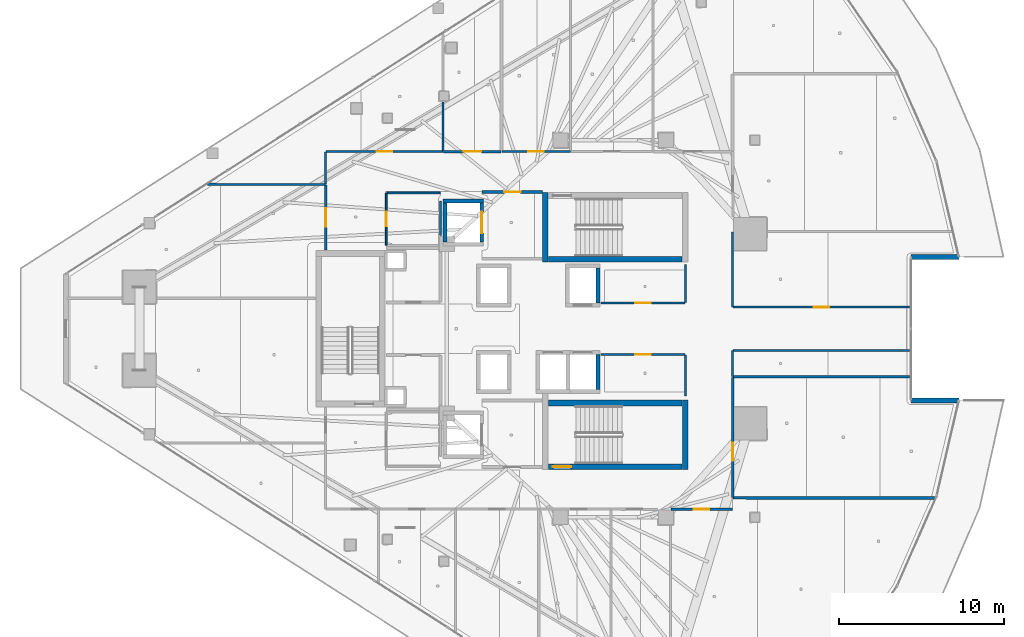
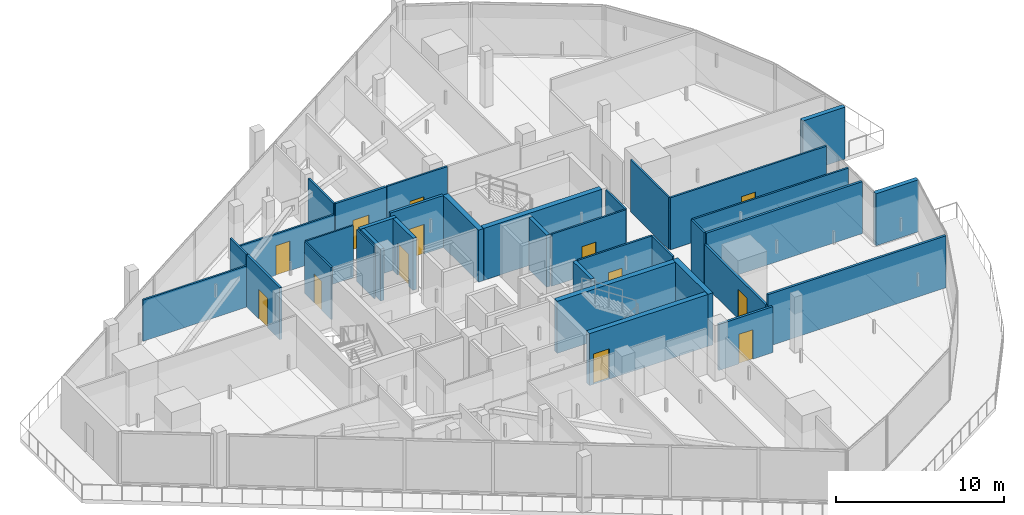
# One storey, part 32 of 43: 35 walls, 13 doors, 13 openings.
"""IFC4 building model written with IfcOpenShell, lengths in metres."""

from ifc_helpers import new_model, si_unit, direction, frame, frame_2d, origin, place, context, subcontext, project, spatial, rectangle, extrude, material, layer, layer_set, type_object, element, fill, save


model = new_model("IFC4")

# Units and contexts
model_context = context("Model", 3, precision=1e-05, world=origin(), true_north=direction((0.0, 1.0)))
body_context = subcontext(model_context, "Body", "Model", "MODEL_VIEW")
ifc_project = project(units=[si_unit("LENGTHUNIT", "METRE"), si_unit("AREAUNIT", "SQUARE_METRE"), si_unit("VOLUMEUNIT", "CUBIC_METRE"), si_unit("PLANEANGLEUNIT", "RADIAN"), si_unit("MASSUNIT", "GRAM", prefix="KILO")], contexts=[model_context])

# Site, building, storey
site_placement = place(None, origin())
site = spatial("IfcSite", under=ifc_project, at=site_placement, CompositionType="ELEMENT")
building_placement = place(site_placement, origin())
building = spatial("IfcBuilding", under=site, at=building_placement, Name="Qorvath Tower", CompositionType="ELEMENT")
storey_placement = place(building_placement, frame((0.0, 0.0, 213.14990234375)))
storey = spatial("IfcBuildingStorey", under=building, at=storey_placement, Name="L49", CompositionType="ELEMENT", Elevation=213.14990234375)

# Wall, opening, door
ifc_material_1 = material(Name="Gypsum shaftliner on steel studs", Category="steel")
ifc_layer_1 = layer(ifc_material_1, 0.179931640625)
ifc_layer_set_1 = layer_set([ifc_layer_1], Name="FW-LOBBY")
wall_type_1 = type_object("IfcWallType", Name="FW-LOBBY", PredefinedType="PARTITIONING", material=ifc_layer_set_1)
wall_1_placement = place(storey_placement, frame((-24.68408203125, 8.300048828125, 0.0), z_axis=(0.0, 0.0, 1.0), x_axis=(-1.0, 0.0, 0.0)))
wall_1 = element("IfcWall", 1, at=wall_1_placement, inside=storey, type_object=wall_type_1, Name="Interior Partition IW-T1-L49-002", PredefinedType="PARTITIONING", context=body_context, shape_type="SweptSolid", body=[
    extrude(rectangle(XDim=3.6708984375, YDim=0.179931640625, at=frame_2d((1.83544921875, 0.0))), origin(), (0.0, 0.0, 1.0), 3.780029296875),
])
opening_1_placement = place(wall_1_placement, frame((1.33544921875, 0.0, 0.0)))
opening_1 = element("IfcOpeningElement", 2, at=opening_1_placement, cuts=wall_1, Name="Opening D-T1-L49-22", PredefinedType="OPENING", context=body_context, shape_type="SweptSolid", body=[
    extrude(rectangle(XDim=1.0, YDim=2.14990234375, at=frame_2d((0.5, 1.074951171875))), frame((0.0, 0.10009765625, 0.0), z_axis=(0.0, -1.0, 0.0), x_axis=(1.0, 0.0, 0.0)), (0.0, 0.0, 1.0), 0.199951171875),
])
ifc_material_2 = material(Name="Painted galvanised hollow metal", Category="steel")
door_type_1 = type_object("IfcDoorType", Name="FD-60", OperationType="NOTDEFINED", PredefinedType="DOOR", material=ifc_material_2)
door_1_placement = place(opening_1_placement, origin())
door_1 = element("IfcDoor", 3, at=door_1_placement, inside=storey, type_object=door_type_1, Name="Lobby Fire Service Elevator North Door D-T1-L49-22", OperationType="SINGLE_SWING_LEFT", OverallHeight=2.14990234375, OverallWidth=1.0, PredefinedType="DOOR", context=body_context, shape_type="SweptSolid", body=[
    extrude(rectangle(XDim=1.0, YDim=2.14990234375, at=frame_2d((0.5, 1.074951171875))), frame((0.0, 0.02490234375, 0.0), z_axis=(0.0, -1.0, 0.0), x_axis=(1.0, 0.0, 0.0)), (0.0, 0.0, 1.0), 0.050048828125),
])
fill(opening_1, door_1)

ifc_material_3 = material(Name="Double acoustic gypsum board on steel studs", Category="steel")
ifc_layer_2 = layer(ifc_material_3, 0.159912109375)
ifc_layer_set_2 = layer_set([ifc_layer_2], Name="IW-ACOUSTIC-160")
wall_type_2 = type_object("IfcWallType", Name="IW-ACOUSTIC-160", PredefinedType="PARTITIONING", material=ifc_layer_set_2)
wall_2_placement = place(storey_placement, frame((-30.68798828125, 10.758056640625, 0.0), z_axis=(0.0, 0.0, 1.0), x_axis=(1.0, 0.0, 0.0)))
wall_2 = element("IfcWall", 4, at=wall_2_placement, inside=storey, type_object=wall_type_2, Name="Interior Partition IW-T1-L49-028", PredefinedType="PARTITIONING", context=body_context, shape_type="SweptSolid", body=[
    extrude(rectangle(XDim=3.4814453125, YDim=0.159912109375, at=frame_2d((1.74072265625, 0.0))), origin(), (0.0, 0.0, 1.0), 3.780029296875),
])
opening_2_placement = place(wall_2_placement, frame((1.190673828125, 0.0, 0.0)))
opening_2 = element("IfcOpeningElement", 5, at=opening_2_placement, cuts=wall_2, Name="Opening D-T1-L49-08", PredefinedType="OPENING", context=body_context, shape_type="SweptSolid", body=[
    extrude(rectangle(XDim=1.10009765625, YDim=2.14990234375, at=frame_2d((0.550048828125, 1.074951171875))), frame((0.0, 0.08984375, 0.0), z_axis=(0.0, -1.0, 0.0), x_axis=(1.0, 0.0, 0.0)), (0.0, 0.0, 1.0), 0.179931640625),
])
ifc_material_4 = material(Name="Anodised aluminium acoustic framed glass", Category="aluminium")
door_type_2 = type_object("IfcDoorType", Name="D-03", OperationType="NOTDEFINED", PredefinedType="DOOR", material=ifc_material_4)
door_2_placement = place(opening_2_placement, origin())
door_2 = element("IfcDoor", 6, at=door_2_placement, inside=storey, type_object=door_type_2, Name="L49-02 Enclosed Conference Suite Door D-T1-L49-08", OperationType="SINGLE_SWING_LEFT", OverallHeight=2.14990234375, OverallWidth=1.10009765625, PredefinedType="DOOR", context=body_context, shape_type="SweptSolid", body=[
    extrude(rectangle(XDim=1.10009765625, YDim=2.14990234375, at=frame_2d((0.550048828125, 1.074951171875))), frame((0.0, 0.02490234375, 0.0), z_axis=(0.0, -1.0, 0.0), x_axis=(1.0, 0.0, 0.0)), (0.0, 0.0, 1.0), 0.050048828125),
])
fill(opening_2, door_2)

# Wall
wall_3_placement = place(storey_placement, frame((-0.886474609375, -10.27880859375, 0.0), z_axis=(0.0, 0.0, 1.0), x_axis=(-0.999999928079, 0.0003792642, 0.0)))
element("IfcWall", 7, at=wall_3_placement, inside=storey, type_object=wall_type_2, Name="Interior Partition IW-T1-L49-047", PredefinedType="PARTITIONING", context=body_context, shape_type="SweptSolid", body=[
    extrude(rectangle(XDim=12.230712890625, YDim=0.159912109375, at=frame_2d((6.115234375, 0.0))), origin(), (0.0, 0.0, 1.0), 3.780029296875),
])

# Wall, opening, door
wall_4_placement = place(storey_placement, frame((-13.1669921875, -10.9580078125, 0.0), z_axis=(0.0, 0.0, 1.0), x_axis=(-1.0, 0.0, 0.0)))
wall_4 = element("IfcWall", 8, at=wall_4_placement, inside=storey, type_object=wall_type_2, Name="Interior Partition IW-T1-L49-048", PredefinedType="PARTITIONING", context=body_context, shape_type="SweptSolid", body=[
    extrude(rectangle(XDim=3.726806640625, YDim=0.159912109375, at=frame_2d((1.86328125, 0.0))), origin(), (0.0, 0.0, 1.0), 3.34375),
])
opening_3_placement = place(wall_4_placement, frame((1.388427734375, 0.0, 0.0)))
opening_3 = element("IfcOpeningElement", 9, at=opening_3_placement, cuts=wall_4, Name="Opening D-T1-L49-24", PredefinedType="OPENING", context=body_context, shape_type="SweptSolid", body=[
    extrude(rectangle(XDim=0.949951171875, YDim=2.14990234375, at=frame_2d((0.47509765625, 1.074951171875))), frame((0.0, 0.08984375, 0.0), z_axis=(0.0, -1.0, 0.0), x_axis=(1.0, 0.0, 0.0)), (0.0, 0.0, 1.0), 0.179931640625),
])
ifc_material_5 = material(Name="Solid-core American white oak veneer", Category="wood")
door_type_3 = type_object("IfcDoorType", Name="D-01", OperationType="NOTDEFINED", PredefinedType="DOOR", material=ifc_material_5)
door_3_placement = place(opening_3_placement, origin())
door_3 = element("IfcDoor", 10, at=door_3_placement, inside=storey, type_object=door_type_3, Name="L49-10 Breakout Reading Alcove Door D-T1-L49-24", OperationType="SINGLE_SWING_LEFT", OverallHeight=2.14990234375, OverallWidth=0.949951171875, PredefinedType="DOOR", context=body_context, shape_type="SweptSolid", body=[
    extrude(rectangle(XDim=0.949951171875, YDim=2.14990234375, at=frame_2d((0.47509765625, 1.074951171875))), frame((0.0, 0.02490234375, 0.0), z_axis=(0.0, -1.0, 0.0), x_axis=(1.0, 0.0, 0.0)), (0.0, 0.0, 1.0), 0.050048828125),
])
fill(opening_3, door_3)

# Wall
wall_5_placement = place(storey_placement, frame((-2.390869140625, -2.92578125, 0.0), z_axis=(0.0, 0.0, 1.0), x_axis=(-1.0, 0.0, 0.0)))
element("IfcWall", 11, at=wall_5_placement, inside=storey, type_object=wall_type_2, Name="Interior Partition IW-T1-L49-049", PredefinedType="PARTITIONING", context=body_context, shape_type="SweptSolid", body=[
    extrude(rectangle(XDim=10.726318359375, YDim=0.159912109375, at=frame_2d((5.36328125, 0.0))), origin(), (0.0, 0.0, 1.0), 3.780029296875),
])

# Wall, opening, door
wall_6_placement = place(storey_placement, frame((-13.14208984375, -2.95068359375, 0.0), z_axis=(0.0, 0.0, 1.0), x_axis=(0.0, -1.0, 0.0)))
wall_6 = element("IfcWall", 12, at=wall_6_placement, inside=storey, type_object=wall_type_2, Name="Interior Partition IW-T1-L49-050", PredefinedType="PARTITIONING", context=body_context, shape_type="SweptSolid", body=[
    extrude(rectangle(XDim=7.29052734375, YDim=0.159912109375, at=frame_2d((3.645263671875, 0.0))), origin(), (0.0, 0.0, 1.0), 3.0),
])
opening_4_placement = place(wall_6_placement, frame((3.9794921875, 0.0, 0.0)))
opening_4 = element("IfcOpeningElement", 13, at=opening_4_placement, cuts=wall_6, Name="Opening D-T1-L49-16", PredefinedType="OPENING", context=body_context, shape_type="SweptSolid", body=[
    extrude(rectangle(XDim=1.10009765625, YDim=2.14990234375, at=frame_2d((0.550048828125, 1.074951171875))), frame((0.0, 0.08984375, 0.0), z_axis=(0.0, -1.0, 0.0), x_axis=(1.0, 0.0, 0.0)), (0.0, 0.0, 1.0), 0.179931640625),
])
door_4_placement = place(opening_4_placement, origin())
door_4 = element("IfcDoor", 14, at=door_4_placement, inside=storey, type_object=door_type_2, Name="L49-11 Team Project Office Door D-T1-L49-16", OperationType="SINGLE_SWING_LEFT", OverallHeight=2.14990234375, OverallWidth=1.10009765625, PredefinedType="DOOR", context=body_context, shape_type="SweptSolid", body=[
    extrude(rectangle(XDim=1.10009765625, YDim=2.14990234375, at=frame_2d((0.550048828125, 1.074951171875))), frame((0.0, 0.02490234375, 0.0), z_axis=(0.0, -1.0, 0.0), x_axis=(1.0, 0.0, 0.0)), (0.0, 0.0, 1.0), 0.050048828125),
])
fill(opening_4, door_4)

wall_7_placement = place(storey_placement, frame((-37.85791015625, 4.783203125, 0.0), z_axis=(0.0, 0.0, 1.0), x_axis=(0.0, 1.0, 0.0)))
wall_7 = element("IfcWall", 15, at=wall_7_placement, inside=storey, type_object=wall_type_2, Name="Interior Partition IW-T1-L49-063", PredefinedType="PARTITIONING", context=body_context, shape_type="SweptSolid", body=[
    extrude(rectangle(XDim=3.948486328125, YDim=0.159912109375, at=frame_2d((1.97412109375, 0.0))), origin(), (0.0, 0.0, 1.0), 3.780029296875),
])
opening_5_placement = place(wall_7_placement, frame((1.42431640625, 0.0, 0.0)))
opening_5 = element("IfcOpeningElement", 16, at=opening_5_placement, cuts=wall_7, Name="Opening D-T1-L49-21", PredefinedType="OPENING", context=body_context, shape_type="SweptSolid", body=[
    extrude(rectangle(XDim=1.10009765625, YDim=2.14990234375, at=frame_2d((0.550048828125, 1.074951171875))), frame((0.0, 0.08984375, 0.0), z_axis=(0.0, -1.0, 0.0), x_axis=(1.0, 0.0, 0.0)), (0.0, 0.0, 1.0), 0.179931640625),
])
door_5_placement = place(opening_5_placement, origin())
door_5 = element("IfcDoor", 17, at=door_5_placement, inside=storey, type_object=door_type_2, Name="L49-16 Client Services Office Door D-T1-L49-21", OperationType="SINGLE_SWING_RIGHT", OverallHeight=2.14990234375, OverallWidth=1.10009765625, PredefinedType="DOOR", context=body_context, shape_type="SweptSolid", body=[
    extrude(rectangle(XDim=1.10009765625, YDim=2.14990234375, at=frame_2d((0.550048828125, 1.074951171875))), frame((0.0, 0.02490234375, 0.0), z_axis=(0.0, -1.0, 0.0), x_axis=(1.0, 0.0, 0.0)), (0.0, 0.0, 1.0), 0.050048828125),
])
fill(opening_5, door_5)

ifc_material_6 = material(Name="Gypsum board on metal studs with mineral wool", Category="gypsum")
ifc_layer_3 = layer(ifc_material_6, 0.125)
ifc_layer_set_3 = layer_set([ifc_layer_3], Name="IW-PART-125")
wall_type_3 = type_object("IfcWallType", Name="IW-PART-125", PredefinedType="PARTITIONING", material=ifc_layer_set_3)
wall_8_placement = place(storey_placement, frame((-21.1337890625, 1.56005859375, 0.0), z_axis=(0.0, 0.0, 1.0), x_axis=(1.0, 0.0, 0.0)))
wall_8 = element("IfcWall", 18, at=wall_8_placement, inside=storey, type_object=wall_type_3, Name="Interior Partition IW-T1-L49-013", PredefinedType="PARTITIONING", context=body_context, shape_type="SweptSolid", body=[
    extrude(rectangle(XDim=5.10888671875, YDim=0.125, at=frame_2d((2.554443359375, 0.0))), origin(), (0.0, 0.0, 1.0), 3.780029296875),
])
opening_6_placement = place(wall_8_placement, frame((2.079345703125, 0.0, 0.0)))
opening_6 = element("IfcOpeningElement", 19, at=opening_6_placement, cuts=wall_8, Name="Opening D-T1-L49-03", PredefinedType="OPENING", context=body_context, shape_type="SweptSolid", body=[
    extrude(rectangle(XDim=0.949951171875, YDim=2.14990234375, at=frame_2d((0.47509765625, 1.074951171875))), frame((0.0, 0.072509765625, 0.0), z_axis=(0.0, -1.0, 0.0), x_axis=(1.0, 0.0, 0.0)), (0.0, 0.0, 1.0), 0.14501953125),
])
door_6_placement = place(opening_6_placement, origin())
door_6 = element("IfcDoor", 20, at=door_6_placement, inside=storey, type_object=door_type_3, Name="L49-RCN North Quantitative Server Suite Door D-T1-L49-03", OperationType="SINGLE_SWING_RIGHT", OverallHeight=2.14990234375, OverallWidth=0.949951171875, PredefinedType="DOOR", context=body_context, shape_type="SweptSolid", body=[
    extrude(rectangle(XDim=0.949951171875, YDim=2.14990234375, at=frame_2d((0.47509765625, 1.074951171875))), frame((0.0, 0.02490234375, 0.0), z_axis=(0.0, -1.0, 0.0), x_axis=(1.0, 0.0, 0.0)), (0.0, 0.0, 1.0), 0.050048828125),
])
fill(opening_6, door_6)

# Walls
wall_9_placement = place(storey_placement, frame((-16.0, 1.585205078125, 0.0), z_axis=(0.0, 0.0, 1.0), x_axis=(0.0, 1.0, 0.0)))
element("IfcWall", 21, at=wall_9_placement, inside=storey, type_object=wall_type_3, Name="Interior Partition IW-T1-L49-014", PredefinedType="PARTITIONING", context=body_context, shape_type="SweptSolid", body=[
    extrude(rectangle(XDim=2.30224609375, YDim=0.125, at=frame_2d((1.151123046875, 0.0))), origin(), (0.0, 0.0, 1.0), 3.780029296875),
])
wall_10_placement = place(storey_placement, frame((-16.0, -4.0751953125, 0.0), z_axis=(0.0, 0.0, 1.0), x_axis=(0.0, 1.0, 0.0)))
element("IfcWall", 22, at=wall_10_placement, inside=storey, type_object=wall_type_3, Name="Interior Partition IW-T1-L49-015", PredefinedType="PARTITIONING", context=body_context, shape_type="SweptSolid", body=[
    extrude(rectangle(XDim=2.489990234375, YDim=0.125, at=frame_2d((1.2451171875, 0.0))), origin(), (0.0, 0.0, 1.0), 3.780029296875),
])

# Wall, opening, door
wall_11_placement = place(storey_placement, frame((-16.02490234375, -1.56005859375, 0.0), z_axis=(0.0, 0.0, 1.0), x_axis=(-1.0, 0.0, 0.0)))
wall_11 = element("IfcWall", 23, at=wall_11_placement, inside=storey, type_object=wall_type_3, Name="Interior Partition IW-T1-L49-016", PredefinedType="PARTITIONING", context=body_context, shape_type="SweptSolid", body=[
    extrude(rectangle(XDim=5.10888671875, YDim=0.125, at=frame_2d((2.554443359375, 0.0))), origin(), (0.0, 0.0, 1.0), 3.780029296875),
])
opening_7_placement = place(wall_11_placement, frame((2.079345703125, 0.0, 0.0)))
opening_7 = element("IfcOpeningElement", 24, at=opening_7_placement, cuts=wall_11, Name="Opening D-T1-L49-04", PredefinedType="OPENING", context=body_context, shape_type="SweptSolid", body=[
    extrude(rectangle(XDim=0.949951171875, YDim=2.14990234375, at=frame_2d((0.47509765625, 1.074951171875))), frame((0.0, 0.072509765625, 0.0), z_axis=(0.0, -1.0, 0.0), x_axis=(1.0, 0.0, 0.0)), (0.0, 0.0, 1.0), 0.14501953125),
])
door_7_placement = place(opening_7_placement, origin())
door_7 = element("IfcDoor", 25, at=door_7_placement, inside=storey, type_object=door_type_3, Name="L49-RCS South Quantitative Server Suite Door D-T1-L49-04", OperationType="SINGLE_SWING_LEFT", OverallHeight=2.14990234375, OverallWidth=0.949951171875, PredefinedType="DOOR", context=body_context, shape_type="SweptSolid", body=[
    extrude(rectangle(XDim=0.949951171875, YDim=2.14990234375, at=frame_2d((0.47509765625, 1.074951171875))), frame((0.0, 0.02490234375, 0.0), z_axis=(0.0, -1.0, 0.0), x_axis=(1.0, 0.0, 0.0)), (0.0, 0.0, 1.0), 0.050048828125),
])
fill(opening_7, door_7)

# Wall
wall_12_placement = place(storey_placement, frame((-37.85791015625, 10.733154296875, 0.0), z_axis=(0.0, 0.0, 1.0), x_axis=(0.0, -1.0, 0.0)))
element("IfcWall", 26, at=wall_12_placement, inside=storey, type_object=wall_type_3, Name="Interior Partition IW-T1-L49-023", PredefinedType="PARTITIONING", context=body_context, shape_type="SweptSolid", body=[
    extrude(rectangle(XDim=1.94384765625, YDim=0.125, at=frame_2d((0.971923828125, 0.0))), origin(), (0.0, 0.0, 1.0), 3.780029296875),
])

# Wall, opening, door
wall_13_placement = place(storey_placement, frame((-37.8330078125, 10.758056640625, 0.0), z_axis=(0.0, 0.0, 1.0), x_axis=(1.0, 0.0, 0.0)))
wall_13 = element("IfcWall", 27, at=wall_13_placement, inside=storey, type_object=wall_type_3, Name="Interior Partition IW-T1-L49-024", PredefinedType="PARTITIONING", context=body_context, shape_type="SweptSolid", body=[
    extrude(rectangle(XDim=7.0869140625, YDim=0.125, at=frame_2d((3.54345703125, 0.0))), origin(), (0.0, 0.0, 1.0), 3.0),
])
opening_8_placement = place(wall_13_placement, frame((3.068359375, 0.0, 0.0)))
opening_8 = element("IfcOpeningElement", 28, at=opening_8_placement, cuts=wall_13, Name="Opening D-T1-L49-07", PredefinedType="OPENING", context=body_context, shape_type="SweptSolid", body=[
    extrude(rectangle(XDim=0.949951171875, YDim=2.14990234375, at=frame_2d((0.47509765625, 1.074951171875))), frame((0.0, 0.072509765625, 0.0), z_axis=(0.0, -1.0, 0.0), x_axis=(1.0, 0.0, 0.0)), (0.0, 0.0, 1.0), 0.14501953125),
])
door_8_placement = place(opening_8_placement, origin())
door_8 = element("IfcDoor", 29, at=door_8_placement, inside=storey, type_object=door_type_3, Name="L49-01 Open Workplace Studio Door D-T1-L49-07", OperationType="SINGLE_SWING_RIGHT", OverallHeight=2.14990234375, OverallWidth=0.949951171875, PredefinedType="DOOR", context=body_context, shape_type="SweptSolid", body=[
    extrude(rectangle(XDim=0.949951171875, YDim=2.14990234375, at=frame_2d((0.47509765625, 1.074951171875))), frame((0.0, 0.02490234375, 0.0), z_axis=(0.0, -1.0, 0.0), x_axis=(1.0, 0.0, 0.0)), (0.0, 0.0, 1.0), 0.050048828125),
])
fill(opening_8, door_8)

# Walls
wall_14_placement = place(storey_placement, frame((-30.72119140625, 10.783203125, 0.0), z_axis=(0.0, 0.0, 1.0), x_axis=(0.0, 1.0, 0.0)))
element("IfcWall", 30, at=wall_14_placement, inside=storey, type_object=wall_type_3, Name="Interior Partition IW-T1-L49-025", PredefinedType="PARTITIONING", context=body_context, shape_type="SweptSolid", body=[
    extrude(rectangle(XDim=3.0009765625, YDim=0.125, at=frame_2d((1.50048828125, 0.0))), origin(), (0.0, 0.0, 1.0), 3.780029296875),
])
wall_15_placement = place(storey_placement, frame((-45.0439453125, 8.773193359375, 0.0), z_axis=(0.0, 0.0, 1.0), x_axis=(0.999999246833, -0.001227327591, 0.0)))
element("IfcWall", 31, at=wall_15_placement, inside=storey, type_object=wall_type_3, Name="Interior Partition IW-T1-L49-027", PredefinedType="PARTITIONING", context=body_context, shape_type="SweptSolid", body=[
    extrude(rectangle(XDim=7.1611328125, YDim=0.125, at=frame_2d((3.58056640625, 0.0))), origin(), (0.0, 0.0, 1.0), 3.0),
])

# Wall, opening, door
wall_16_placement = place(storey_placement, frame((-27.148681640625, 10.758056640625, 0.0), z_axis=(0.0, 0.0, 1.0), x_axis=(1.0, 0.0, 0.0)))
wall_16 = element("IfcWall", 32, at=wall_16_placement, inside=storey, type_object=wall_type_3, Name="Interior Partition IW-T1-L49-030", PredefinedType="PARTITIONING", context=body_context, shape_type="SweptSolid", body=[
    extrude(rectangle(XDim=4.14306640625, YDim=0.125, at=frame_2d((2.071533203125, 0.0))), origin(), (0.0, 0.0, 1.0), 3.780029296875),
])
opening_9_placement = place(wall_16_placement, frame((1.596435546875, 0.0, 0.0)))
opening_9 = element("IfcOpeningElement", 33, at=opening_9_placement, cuts=wall_16, Name="Opening D-T1-L49-09", PredefinedType="OPENING", context=body_context, shape_type="SweptSolid", body=[
    extrude(rectangle(XDim=0.949951171875, YDim=2.14990234375, at=frame_2d((0.47509765625, 1.074951171875))), frame((0.0, 0.072509765625, 0.0), z_axis=(0.0, -1.0, 0.0), x_axis=(1.0, 0.0, 0.0)), (0.0, 0.0, 1.0), 0.14501953125),
])
door_9_placement = place(opening_9_placement, origin())
door_9 = element("IfcDoor", 34, at=door_9_placement, inside=storey, type_object=door_type_3, Name="L49-03 Focus Collaboration Pod Door D-T1-L49-09", OperationType="SINGLE_SWING_RIGHT", OverallHeight=2.14990234375, OverallWidth=0.949951171875, PredefinedType="DOOR", context=body_context, shape_type="SweptSolid", body=[
    extrude(rectangle(XDim=0.949951171875, YDim=2.14990234375, at=frame_2d((0.47509765625, 1.074951171875))), frame((0.0, 0.02490234375, 0.0), z_axis=(0.0, -1.0, 0.0), x_axis=(1.0, 0.0, 0.0)), (0.0, 0.0, 1.0), 0.050048828125),
])
fill(opening_9, door_9)

# Wall
wall_17_placement = place(storey_placement, frame((-13.14208984375, 5.880615234375, 0.0), z_axis=(0.0, 0.0, 1.0), x_axis=(0.0, -1.0, 0.0)))
element("IfcWall", 35, at=wall_17_placement, inside=storey, type_object=wall_type_3, Name="Interior Partition IW-T1-L49-052", PredefinedType="PARTITIONING", context=body_context, shape_type="SweptSolid", body=[
    extrude(rectangle(XDim=4.547607421875, YDim=0.125, at=frame_2d((2.27392578125, 0.0))), origin(), (0.0, 0.0, 1.0), 3.780029296875),
])

# Wall, opening, door
wall_18_placement = place(storey_placement, frame((-13.1171875, 1.30810546875, 0.0), z_axis=(0.0, 0.0, 1.0), x_axis=(1.0, 0.0, 0.0)))
wall_18 = element("IfcWall", 36, at=wall_18_placement, inside=storey, type_object=wall_type_3, Name="Interior Partition IW-T1-L49-053", PredefinedType="PARTITIONING", context=body_context, shape_type="SweptSolid", body=[
    extrude(rectangle(XDim=10.726318359375, YDim=0.125, at=frame_2d((5.36328125, 0.0))), origin(), (0.0, 0.0, 1.0), 3.780029296875),
])
opening_10_placement = place(wall_18_placement, frame((4.88818359375, 0.0, 0.0)))
opening_10 = element("IfcOpeningElement", 37, at=opening_10_placement, cuts=wall_18, Name="Opening D-T1-L49-17", PredefinedType="OPENING", context=body_context, shape_type="SweptSolid", body=[
    extrude(rectangle(XDim=0.949951171875, YDim=2.14990234375, at=frame_2d((0.47509765625, 1.074951171875))), frame((0.0, 0.072509765625, 0.0), z_axis=(0.0, -1.0, 0.0), x_axis=(1.0, 0.0, 0.0)), (0.0, 0.0, 1.0), 0.14501953125),
])
door_10_placement = place(opening_10_placement, origin())
door_10 = element("IfcDoor", 38, at=door_10_placement, inside=storey, type_object=door_type_3, Name="L49-12 Engineering Documentation Suite Door D-T1-L49-17", OperationType="SINGLE_SWING_RIGHT", OverallHeight=2.14990234375, OverallWidth=0.949951171875, PredefinedType="DOOR", context=body_context, shape_type="SweptSolid", body=[
    extrude(rectangle(XDim=0.949951171875, YDim=2.14990234375, at=frame_2d((0.47509765625, 1.074951171875))), frame((0.0, 0.02490234375, 0.0), z_axis=(0.0, -1.0, 0.0), x_axis=(1.0, 0.0, 0.0)), (0.0, 0.0, 1.0), 0.050048828125),
])
fill(opening_10, door_10)

# Walls
wall_19_placement = place(storey_placement, frame((-13.1171875, -1.30810546875, 0.0), z_axis=(0.0, 0.0, 1.0), x_axis=(1.0, 0.0, 0.0)))
element("IfcWall", 39, at=wall_19_placement, inside=storey, type_object=wall_type_3, Name="Interior Partition IW-T1-L49-054", PredefinedType="PARTITIONING", context=body_context, shape_type="SweptSolid", body=[
    extrude(rectangle(XDim=10.726318359375, YDim=0.125, at=frame_2d((5.36328125, 0.0))), origin(), (0.0, 0.0, 1.0), 3.780029296875),
])
wall_20_placement = place(storey_placement, frame((-13.14208984375, -1.3330078125, 0.0), z_axis=(0.0, 0.0, 1.0), x_axis=(0.0, -1.0, 0.0)))
element("IfcWall", 40, at=wall_20_placement, inside=storey, type_object=wall_type_3, Name="Interior Partition IW-T1-L49-055", PredefinedType="PARTITIONING", context=body_context, shape_type="SweptSolid", body=[
    extrude(rectangle(XDim=1.56005859375, YDim=0.125, at=frame_2d((0.780029296875, 0.0))), origin(), (0.0, 0.0, 1.0), 3.780029296875),
])

# Wall, opening, door
ifc_material_7 = material(Name="Moisture-resistant cement board on metal studs", Category="gypsum")
ifc_layer_4 = layer(ifc_material_7, 0.110107421875)
ifc_layer_set_4 = layer_set([ifc_layer_4], Name="IW-WC-110")
wall_type_4 = type_object("IfcWallType", Name="IW-WC-110", PredefinedType="PARTITIONING", material=ifc_layer_set_4)
wall_21_placement = place(storey_placement, frame((-34.179931640625, 8.22509765625, 0.0), z_axis=(0.0, 0.0, 1.0), x_axis=(0.0, -1.0, 0.0)))
wall_21 = element("IfcWall", 41, at=wall_21_placement, inside=storey, type_object=wall_type_4, Name="Interior Partition IW-T1-L49-005", PredefinedType="PARTITIONING", context=body_context, shape_type="SweptSolid", body=[
    extrude(rectangle(XDim=3.150146484375, YDim=0.110107421875, at=frame_2d((1.5751953125, 0.0))), origin(), (0.0, 0.0, 1.0), 3.780029296875),
])
opening_11_placement = place(wall_21_placement, frame((1.135009765625, 0.0, 0.0)))
opening_11 = element("IfcOpeningElement", 42, at=opening_11_placement, cuts=wall_21, Name="Opening D-T1-L49-01", PredefinedType="OPENING", context=body_context, shape_type="SweptSolid", body=[
    extrude(rectangle(XDim=0.8798828125, YDim=2.10009765625, at=frame_2d((0.43994140625, 1.050048828125))), frame((0.0, 0.06494140625, 0.0), z_axis=(0.0, -1.0, 0.0), x_axis=(1.0, 0.0, 0.0)), (0.0, 0.0, 1.0), 0.130126953125),
])
ifc_material_8 = material(Name="Solid-core oak with acoustic drop seal", Category="wood")
door_type_4 = type_object("IfcDoorType", Name="D-02", OperationType="NOTDEFINED", PredefinedType="DOOR", material=ifc_material_8)
door_11_placement = place(opening_11_placement, origin())
door_11 = element("IfcDoor", 43, at=door_11_placement, inside=storey, type_object=door_type_4, Name="WC All-Gender North L49 Door D-T1-L49-01", OperationType="SINGLE_SWING_RIGHT", OverallHeight=2.10009765625, OverallWidth=0.8798828125, PredefinedType="DOOR", context=body_context, shape_type="SweptSolid", body=[
    extrude(rectangle(XDim=0.8798828125, YDim=2.10009765625, at=frame_2d((0.43994140625, 1.050048828125))), frame((0.0, 0.02490234375, 0.0), z_axis=(0.0, -1.0, 0.0), x_axis=(1.0, 0.0, 0.0)), (0.0, 0.0, 1.0), 0.050048828125),
])
fill(opening_11, door_11)

# Walls
wall_22_placement = place(storey_placement, frame((-30.8798828125, 5.6650390625, 0.0), z_axis=(0.0, 0.0, 1.0), x_axis=(0.0, 1.0, 0.0)))
element("IfcWall", 44, at=wall_22_placement, inside=storey, type_object=wall_type_4, Name="Interior Partition IW-T1-L49-007", PredefinedType="PARTITIONING", context=body_context, shape_type="SweptSolid", body=[
    extrude(rectangle(XDim=2.077880859375, YDim=0.110107421875, at=frame_2d((1.0390625, 0.0))), origin(), (0.0, 0.0, 1.0), 3.780029296875),
])
wall_23_placement = place(storey_placement, frame((-30.90478515625, 8.25, 0.0), z_axis=(0.0, 0.0, 1.0), x_axis=(-1.0, 0.0, 0.0)))
element("IfcWall", 45, at=wall_23_placement, inside=storey, type_object=wall_type_4, Name="Interior Partition IW-T1-L49-008", PredefinedType="PARTITIONING", context=body_context, shape_type="SweptSolid", body=[
    extrude(rectangle(XDim=3.25, YDim=0.110107421875, at=frame_2d((1.625, 0.0))), origin(), (0.0, 0.0, 1.0), 3.780029296875),
])
ifc_material_9 = material(Name="Concrete C60/75", Category="concrete")
ifc_layer_5 = layer(ifc_material_9, 0.260009765625)
ifc_layer_set_5 = layer_set([ifc_layer_5], Name="SW-SHAFT")
wall_type_5 = type_object("IfcWallType", Name="SW-SHAFT", PredefinedType="SHEAR", material=ifc_layer_set_5)
wall_24_placement = place(storey_placement, frame((-30.739990234375, 7.77001953125, 0.0), z_axis=(0.0, 0.0, 1.0), x_axis=(1.0, 0.0, 0.0)))
element("IfcWall", 46, at=wall_24_placement, inside=storey, type_object=wall_type_5, Name="Hoistway Wall FSAE-1 L49 N", PredefinedType="SHEAR", context=body_context, shape_type="SweptSolid", body=[
    extrude(rectangle(XDim=2.47998046875, YDim=0.239990234375, at=frame_2d((1.239990234375, 0.0))), origin(), (0.0, 0.0, 1.0), 3.780029296875),
])
wall_25_placement = place(storey_placement, frame((-30.6201171875, 5.261962890625, 0.0), z_axis=(0.0, 0.0, 1.0), x_axis=(0.0, 1.0, 0.0)))
element("IfcWall", 47, at=wall_25_placement, inside=storey, type_object=wall_type_5, Name="Hoistway Wall FSAE-1 L49 W", PredefinedType="SHEAR", context=body_context, shape_type="SweptSolid", body=[
    extrude(rectangle(XDim=2.3759765625, YDim=0.239990234375, at=frame_2d((1.18798828125, 0.0))), origin(), (0.0, 0.0, 1.0), 3.780029296875),
])

# Wall, opening, door
wall_26_placement = place(storey_placement, frame((-28.3798828125, 7.637939453125, 0.0), z_axis=(0.0, 0.0, 1.0), x_axis=(0.0, -1.0, 0.0)))
wall_26 = element("IfcWall", 48, at=wall_26_placement, inside=storey, type_object=wall_type_5, Name="Hoistway Wall FSAE-1 L49 E", PredefinedType="SHEAR", context=body_context, shape_type="SweptSolid", body=[
    extrude(rectangle(XDim=2.3759765625, YDim=0.239990234375, at=frame_2d((1.18798828125, 0.0))), origin(), (0.0, 0.0, 1.0), 3.780029296875),
])
opening_12_placement = place(wall_26_placement, frame((0.537841796875, 0.0, 0.0)))
opening_12 = element("IfcOpeningElement", 49, at=opening_12_placement, cuts=wall_26, Name="Opening LD-FSAE-1-L49", PredefinedType="OPENING", context=body_context, shape_type="SweptSolid", body=[
    extrude(rectangle(XDim=1.300048828125, YDim=2.300048828125, at=frame_2d((0.64990234375, 1.14990234375))), frame((0.0, 0.1298828125, 0.0), z_axis=(0.0, -1.0, 0.0), x_axis=(1.0, 0.0, 0.0)), (0.0, 0.0, 1.0), 0.260009765625),
])
ifc_material_10 = material(Name="Brushed stainless steel AISI 316", Category="steel")
door_type_5 = type_object("IfcDoorType", Name="LD-02", OperationType="NOTDEFINED", PredefinedType="DOOR", material=ifc_material_10)
door_12_placement = place(opening_12_placement, origin())
door_12 = element("IfcDoor", 50, at=door_12_placement, inside=storey, type_object=door_type_5, Name="Elevator Landing Sliding Door LD-FSAE-1-L49", OperationType="DOUBLE_DOOR_SLIDING", OverallHeight=2.300048828125, OverallWidth=1.300048828125, PredefinedType="DOOR", context=body_context, shape_type="SweptSolid", body=[
    extrude(rectangle(XDim=1.300048828125, YDim=2.300048828125, at=frame_2d((0.64990234375, 1.14990234375))), frame((0.0, 0.02490234375, 0.0), z_axis=(0.0, -1.0, 0.0), x_axis=(1.0, 0.0, 0.0)), (0.0, 0.0, 1.0), 0.050048828125),
])
fill(opening_12, door_12)

# Walls
for number, where, z_axis, x_axis, name in (
    (51, (-21.330078125, 3.68798828125, 0.0), (0.0, 0.0, 1.0), (0.0, -1.0, 0.0), "Hoistway Wall PU-1 L49 E"),
    (52, (-21.330078125, -1.56201171875, 0.0), (0.0, 0.0, 1.0), (0.0, -1.0, 0.0), "Hoistway Wall PU-3 L49 E"),
):
    element("IfcWall", number, at=place(storey_placement, frame(where, z_axis=z_axis, x_axis=x_axis)), inside=storey, type_object=wall_type_5, Name=name, PredefinedType="SHEAR", context=body_context, shape_type="SweptSolid", body=[
        extrude(rectangle(XDim=2.1259765625, YDim=0.239990234375, at=frame_2d((1.06298828125, 0.0))), origin(), (0.0, 0.0, 1.0), 3.780029296875),
    ])
ifc_material_11 = material(Name="Concrete C60/75", Category="concrete")
ifc_layer_6 = layer(ifc_material_11, 0.35009765625)
ifc_layer_set_6 = layer_set([ifc_layer_6], Name="SW-STAIR")
wall_type_6 = type_object("IfcWallType", Name="SW-STAIR", PredefinedType="SHEAR", material=ifc_layer_set_6)
wall_27_placement = place(storey_placement, frame((-24.52490234375, 8.260009765625, 0.0), z_axis=(0.0, 0.0, 1.0), x_axis=(0.0, -1.0, 0.0)))
element("IfcWall", 53, at=wall_27_placement, inside=storey, type_object=wall_type_6, Name="Stair TS1 Shear Wall L49 NEAR", PredefinedType="SHEAR", context=body_context, shape_type="SweptSolid", body=[
    extrude(rectangle(XDim=4.2099609375, YDim=0.35009765625, at=frame_2d((2.10498046875, 0.0))), origin(), (0.0, 0.0, 1.0), 3.780029296875),
])
wall_28_placement = place(storey_placement, frame((-24.3349609375, 4.22509765625, 0.0), z_axis=(0.0, 0.0, 1.0), x_axis=(1.0, 0.0, 0.0)))
element("IfcWall", 54, at=wall_28_placement, inside=storey, type_object=wall_type_6, Name="Stair TS1 Shear Wall L49 LEFT", PredefinedType="SHEAR", context=body_context, shape_type="SweptSolid", body=[
    extrude(rectangle(XDim=8.119873046875, YDim=0.35009765625, at=frame_2d((4.06005859375, 0.0))), origin(), (0.0, 0.0, 1.0), 3.780029296875),
])
wall_29_placement = place(storey_placement, frame((-16.02490234375, -8.550048828125, 0.0), z_axis=(0.0, 0.0, 1.0), x_axis=(0.0, 1.0, 0.0)))
element("IfcWall", 55, at=wall_29_placement, inside=storey, type_object=wall_type_6, Name="Stair TS2 Shear Wall L49 FAR", PredefinedType="SHEAR", context=body_context, shape_type="SweptSolid", body=[
    extrude(rectangle(XDim=4.2099609375, YDim=0.35009765625, at=frame_2d((2.10498046875, 0.0))), origin(), (0.0, 0.0, 1.0), 3.780029296875),
])

# Wall, opening, door
wall_30_placement = place(storey_placement, frame((-24.3349609375, -8.375, 0.0), z_axis=(0.0, 0.0, 1.0), x_axis=(1.0, 0.0, 0.0)))
wall_30 = element("IfcWall", 56, at=wall_30_placement, inside=storey, type_object=wall_type_6, Name="Stair TS2 Shear Wall L49 LEFT", PredefinedType="SHEAR", context=body_context, shape_type="SweptSolid", body=[
    extrude(rectangle(XDim=8.119873046875, YDim=0.35009765625, at=frame_2d((4.06005859375, 0.0))), origin(), (0.0, 0.0, 1.0), 3.780029296875),
])
opening_13_placement = place(wall_30_placement, frame((0.280029296875, 0.0, 0.0)))
opening_13 = element("IfcOpeningElement", 57, at=opening_13_placement, cuts=wall_30, Name="Opening D-TS2-L49", PredefinedType="OPENING", context=body_context, shape_type="SweptSolid", body=[
    extrude(rectangle(XDim=1.10009765625, YDim=2.199951171875, at=frame_2d((0.550048828125, 1.10009765625))), frame((0.0, 0.18505859375, 0.0), z_axis=(0.0, -1.0, 0.0), x_axis=(1.0, 0.0, 0.0)), (0.0, 0.0, 1.0), 0.3701171875),
])
ifc_material_12 = material(Name="Painted galvanised hollow metal", Category="steel")
door_type_6 = type_object("IfcDoorType", Name="FD-90", OperationType="NOTDEFINED", PredefinedType="DOOR", material=ifc_material_12)
door_13_placement = place(opening_13_placement, origin())
door_13 = element("IfcDoor", 58, at=door_13_placement, inside=storey, type_object=door_type_6, Name="Stair TS2 Fire Door L49", OperationType="SINGLE_SWING_RIGHT", OverallHeight=2.199951171875, OverallWidth=1.10009765625, PredefinedType="DOOR", context=body_context, shape_type="SweptSolid", body=[
    extrude(rectangle(XDim=1.10009765625, YDim=2.199951171875, at=frame_2d((0.550048828125, 1.10009765625))), frame((0.0, 0.02490234375, 0.0), z_axis=(0.0, -1.0, 0.0), x_axis=(1.0, 0.0, 0.0)), (0.0, 0.0, 1.0), 0.050048828125),
])
fill(opening_13, door_13)

# Walls
wall_31_placement = place(storey_placement, frame((-16.215087890625, -4.514892578125, 0.0), z_axis=(0.0, 0.0, 1.0), x_axis=(-1.0, 0.0, 0.0)))
element("IfcWall", 59, at=wall_31_placement, inside=storey, type_object=wall_type_6, Name="Stair TS2 Shear Wall L49 RIGHT", PredefinedType="SHEAR", context=body_context, shape_type="SweptSolid", body=[
    extrude(rectangle(XDim=8.119873046875, YDim=0.35009765625, at=frame_2d((4.06005859375, 0.0))), origin(), (0.0, 0.0, 1.0), 3.780029296875),
])
ifc_material_13 = material(Name="Precast concrete C45/55", Category="concrete")
ifc_layer_7 = layer(ifc_material_13, 0.300048828125)
ifc_layer_set_7 = layer_set([ifc_layer_7], Name="WL-EW-LOG-300")
wall_type_7 = type_object("IfcWallType", Name="WL-EW-LOG-300", PredefinedType="SOLIDWALL", material=ifc_layer_set_7)
for number, where, z_axis, x_axis, name in (
    (60, (0.59423828125, -4.35791015625, 0.0), (0.0, 0.0, 1.0), (-1.0, 0.0, 0.0), "Tower Precast Loggia Wall L49-8.1"),
    (61, (-2.310791015625, 4.35791015625, 0.0), (0.0, 0.0, 1.0), (1.0, 0.0, 0.0), "Tower Precast Loggia Wall L49-10.1"),
):
    element("IfcWall", number, at=place(storey_placement, frame(where, z_axis=z_axis, x_axis=x_axis)), inside=storey, type_object=wall_type_7, Name=name, PredefinedType="SOLIDWALL", context=body_context, shape_type="SweptSolid", body=[
        extrude(rectangle(XDim=2.905029296875, YDim=0.300048828125, at=frame_2d((1.45263671875, 0.0))), origin(), (0.0, 0.0, 1.0), 3.780029296875),
    ])

save(model, "model.ifc")
